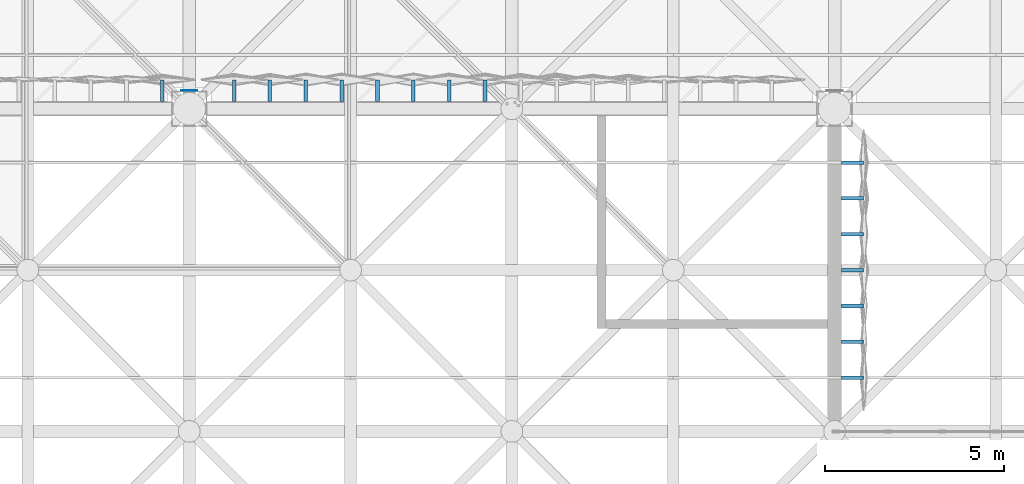
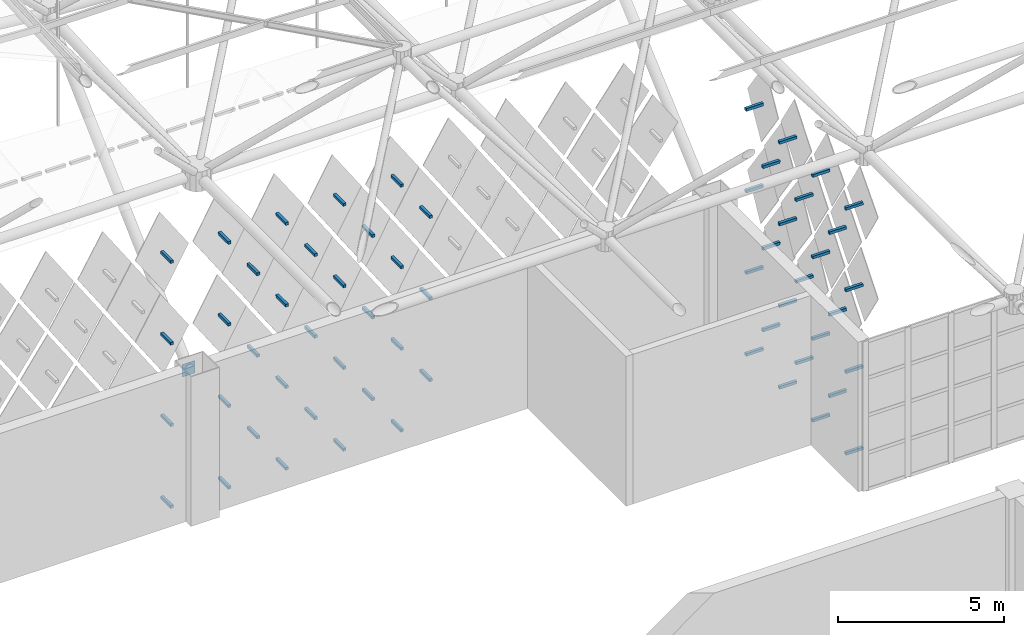
# One storey, part 386 of 437: 58 discrete accessories.
"""IFC4 building model written with IfcOpenShell, lengths in metres."""

from ifc_helpers import new_model, si_unit, direction, frame, origin, place, context, subcontext, project, spatial, polyline, outline, extrude, material, layer, layer_set, type_object, element, save


model = new_model("IFC4")

# Units and contexts
model_context = context("Model", 3, precision=1e-05, world=origin(), true_north=direction((0.0, 1.0)))
body_context = subcontext(model_context, "Body", "Model", "MODEL_VIEW")
ifc_project = project(units=[si_unit("LENGTHUNIT", "METRE"), si_unit("AREAUNIT", "SQUARE_METRE"), si_unit("VOLUMEUNIT", "CUBIC_METRE"), si_unit("PLANEANGLEUNIT", "RADIAN"), si_unit("MASSUNIT", "GRAM", prefix="KILO")], contexts=[model_context])

# Site, building, storey
site_placement = place(None, origin())
site = spatial("IfcSite", under=ifc_project, at=site_placement, CompositionType="ELEMENT")
building_placement = place(site_placement, origin())
building = spatial("IfcBuilding", under=site, at=building_placement, Name="Opaline Strait Convention Centre", CompositionType="ELEMENT")
storey_placement = place(building_placement, frame((0.0, 0.0, 11.5)))
storey = spatial("IfcBuildingStorey", under=building, at=storey_placement, Name="L02", CompositionType="ELEMENT", Elevation=11.5)

# Discrete accessories
ifc_material_1 = material(Name="Structural steel Q355B", Category="steel")
ifc_layer = layer(ifc_material_1, 0.01611328125)
ifc_layer_set = layer_set([ifc_layer], Name="Structural steel Q355B")
discrete_accessory_type_1 = type_object("IfcDiscreteAccessoryType", Name="Prop bearing plate 450 x 450 x 16", PredefinedType="ANCHORPLATE", material=ifc_layer_set)
discrete_accessory_1_placement = place(storey_placement, frame((0.0, 0.0, 4.7900390625)))
element("IfcDiscreteAccessory", 1, at=discrete_accessory_1_placement, inside=storey, type_object=discrete_accessory_type_1, Name="Prop bearing plate 135/153 N", PredefinedType="ANCHORPLATE", context=body_context, shape_type="SweptSolid", body=[
    extrude(outline(polyline([(134.77490234375, 153.5), (135.22509765625, 153.5), (135.22509765625, 153.51611328125), (134.77490234375, 153.51611328125), (134.77490234375, 153.5)])), origin(), (0.0, 0.0, 1.0), 0.449951171875),
])
ifc_material_2 = material(Name="Steel Q355B", Category="steel")
discrete_accessory_type_2 = type_object("IfcDiscreteAccessoryType", Name="Tile bracket 100x100 steel", PredefinedType="BRACKET", material=ifc_material_2)
discrete_accessory_2_placement = place(storey_placement, frame((142.300048828125, 153.199951171875, 0.39208984375), z_axis=(-1.0, 0.0, 0.0), x_axis=(0.0, -1.0, 0.0)))
element("IfcDiscreteAccessory", 2, at=discrete_accessory_2_placement, inside=storey, type_object=discrete_accessory_type_2, Name="Tile bracket XT13 N", PredefinedType="BRACKET", context=body_context, shape_type="SweptSolid", body=[
    extrude(outline(polyline([(0.0, -0.050048828125), (0.0, 0.050048828125), (-0.605712890625, 0.050048828125), (-0.59423828125, -0.050048828125), (0.0, -0.050048828125)])), origin(), (0.0, 0.0, 1.0), 0.10009765625),
])
discrete_accessory_3_placement = place(storey_placement, frame((140.300048828125, 153.199951171875, 0.39208984375), z_axis=(-1.0, 0.0, 0.0), x_axis=(0.0, -1.0, 0.0)))
element("IfcDiscreteAccessory", 3, at=discrete_accessory_3_placement, inside=storey, type_object=discrete_accessory_type_2, Name="Tile bracket XT11 N", PredefinedType="BRACKET", context=body_context, shape_type="SweptSolid", body=[
    extrude(outline(polyline([(0.0, -0.050048828125), (0.0, 0.050048828125), (-0.604736328125, 0.050048828125), (-0.59521484375, -0.050048828125), (0.0, -0.050048828125)])), origin(), (0.0, 0.0, 1.0), 0.10009765625),
])
discrete_accessory_4_placement = place(storey_placement, frame((138.300048828125, 153.199951171875, 0.39208984375), z_axis=(-1.0, 0.0, 0.0), x_axis=(0.0, -1.0, 0.0)))
element("IfcDiscreteAccessory", 4, at=discrete_accessory_4_placement, inside=storey, type_object=discrete_accessory_type_2, Name="Tile bracket XT07 N", PredefinedType="BRACKET", context=body_context, shape_type="SweptSolid", body=[
    extrude(outline(polyline([(0.0, -0.050048828125), (0.0, 0.050048828125), (-0.60302734375, 0.050048828125), (-0.596923828125, -0.050048828125), (0.0, -0.050048828125)])), origin(), (0.0, 0.0, 1.0), 0.10009765625),
])
discrete_accessory_5_placement = place(storey_placement, frame((136.300048828125, 153.199951171875, 0.39208984375), z_axis=(-1.0, 0.0, 0.0), x_axis=(0.0, -1.0, 0.0)))
element("IfcDiscreteAccessory", 5, at=discrete_accessory_5_placement, inside=storey, type_object=discrete_accessory_type_2, Name="Tile bracket XT05 N", PredefinedType="BRACKET", context=body_context, shape_type="SweptSolid", body=[
    extrude(outline(polyline([(0.0, -0.050048828125), (0.0, 0.050048828125), (-0.602294921875, 0.050048828125), (-0.597900390625, -0.050048828125), (0.0, -0.050048828125)])), origin(), (0.0, 0.0, 1.0), 0.10009765625),
])
discrete_accessory_6_placement = place(storey_placement, frame((134.300048828125, 153.199951171875, 0.39208984375), z_axis=(-1.0, 0.0, 0.0), x_axis=(0.0, -1.0, 0.0)))
element("IfcDiscreteAccessory", 6, at=discrete_accessory_6_placement, inside=storey, type_object=discrete_accessory_type_2, Name="Tile bracket XT05 N", PredefinedType="BRACKET", context=body_context, shape_type="SweptSolid", body=[
    extrude(outline(polyline([(0.0, -0.050048828125), (0.0, 0.050048828125), (-0.597900390625, 0.050048828125), (-0.602294921875, -0.050048828125), (0.0, -0.050048828125)])), origin(), (0.0, 0.0, 1.0), 0.10009765625),
])
discrete_accessory_7_placement = place(storey_placement, frame((143.300048828125, 153.199951171875, 1.89208984375), z_axis=(-1.0, 0.0, 0.0), x_axis=(0.0, -1.0, 0.0)))
element("IfcDiscreteAccessory", 7, at=discrete_accessory_7_placement, inside=storey, type_object=discrete_accessory_type_2, Name="Tile bracket XT14 N", PredefinedType="BRACKET", context=body_context, shape_type="SweptSolid", body=[
    extrude(outline(polyline([(0.0, -0.050048828125), (0.0, 0.050048828125), (-0.606201171875, 0.050048828125), (-0.59375, -0.050048828125), (0.0, -0.050048828125)])), origin(), (0.0, 0.0, 1.0), 0.10009765625),
])
discrete_accessory_8_placement = place(storey_placement, frame((141.300048828125, 153.199951171875, 1.89208984375), z_axis=(-1.0, 0.0, 0.0), x_axis=(0.0, -1.0, 0.0)))
element("IfcDiscreteAccessory", 8, at=discrete_accessory_8_placement, inside=storey, type_object=discrete_accessory_type_2, Name="Tile bracket XT13 N", PredefinedType="BRACKET", context=body_context, shape_type="SweptSolid", body=[
    extrude(outline(polyline([(0.0, -0.050048828125), (0.0, 0.050048828125), (-0.605712890625, 0.050048828125), (-0.59423828125, -0.050048828125), (0.0, -0.050048828125)])), origin(), (0.0, 0.0, 1.0), 0.10009765625),
])
discrete_accessory_9_placement = place(storey_placement, frame((139.300048828125, 153.199951171875, 1.89208984375), z_axis=(-1.0, 0.0, 0.0), x_axis=(0.0, -1.0, 0.0)))
element("IfcDiscreteAccessory", 9, at=discrete_accessory_9_placement, inside=storey, type_object=discrete_accessory_type_2, Name="Tile bracket XT11 N", PredefinedType="BRACKET", context=body_context, shape_type="SweptSolid", body=[
    extrude(outline(polyline([(0.0, -0.050048828125), (0.0, 0.050048828125), (-0.604736328125, 0.050048828125), (-0.59521484375, -0.050048828125), (0.0, -0.050048828125)])), origin(), (0.0, 0.0, 1.0), 0.10009765625),
])
discrete_accessory_10_placement = place(storey_placement, frame((137.300048828125, 153.199951171875, 1.89208984375), z_axis=(-1.0, 0.0, 0.0), x_axis=(0.0, -1.0, 0.0)))
element("IfcDiscreteAccessory", 10, at=discrete_accessory_10_placement, inside=storey, type_object=discrete_accessory_type_2, Name="Tile bracket XT07 N", PredefinedType="BRACKET", context=body_context, shape_type="SweptSolid", body=[
    extrude(outline(polyline([(0.0, -0.050048828125), (0.0, 0.050048828125), (-0.60302734375, 0.050048828125), (-0.596923828125, -0.050048828125), (0.0, -0.050048828125)])), origin(), (0.0, 0.0, 1.0), 0.10009765625),
])
discrete_accessory_11_placement = place(storey_placement, frame((142.300048828125, 153.199951171875, 3.39208984375), z_axis=(-1.0, 0.0, 0.0), x_axis=(0.0, -1.0, 0.0)))
element("IfcDiscreteAccessory", 11, at=discrete_accessory_11_placement, inside=storey, type_object=discrete_accessory_type_2, Name="Tile bracket XT14 N", PredefinedType="BRACKET", context=body_context, shape_type="SweptSolid", body=[
    extrude(outline(polyline([(0.0, -0.050048828125), (0.0, 0.050048828125), (-0.606201171875, 0.050048828125), (-0.59375, -0.050048828125), (0.0, -0.050048828125)])), origin(), (0.0, 0.0, 1.0), 0.10009765625),
])
discrete_accessory_12_placement = place(storey_placement, frame((140.300048828125, 153.199951171875, 3.39208984375), z_axis=(-1.0, 0.0, 0.0), x_axis=(0.0, -1.0, 0.0)))
element("IfcDiscreteAccessory", 12, at=discrete_accessory_12_placement, inside=storey, type_object=discrete_accessory_type_2, Name="Tile bracket XT13 N", PredefinedType="BRACKET", context=body_context, shape_type="SweptSolid", body=[
    extrude(outline(polyline([(0.0, -0.050048828125), (0.0, 0.050048828125), (-0.605712890625, 0.050048828125), (-0.59423828125, -0.050048828125), (0.0, -0.050048828125)])), origin(), (0.0, 0.0, 1.0), 0.10009765625),
])
discrete_accessory_13_placement = place(storey_placement, frame((138.300048828125, 153.199951171875, 3.39208984375), z_axis=(-1.0, 0.0, 0.0), x_axis=(0.0, -1.0, 0.0)))
element("IfcDiscreteAccessory", 13, at=discrete_accessory_13_placement, inside=storey, type_object=discrete_accessory_type_2, Name="Tile bracket XT11 N", PredefinedType="BRACKET", context=body_context, shape_type="SweptSolid", body=[
    extrude(outline(polyline([(0.0, -0.050048828125), (0.0, 0.050048828125), (-0.604736328125, 0.050048828125), (-0.59521484375, -0.050048828125), (0.0, -0.050048828125)])), origin(), (0.0, 0.0, 1.0), 0.10009765625),
])
discrete_accessory_14_placement = place(storey_placement, frame((136.300048828125, 153.199951171875, 3.39208984375), z_axis=(-1.0, 0.0, 0.0), x_axis=(0.0, -1.0, 0.0)))
element("IfcDiscreteAccessory", 14, at=discrete_accessory_14_placement, inside=storey, type_object=discrete_accessory_type_2, Name="Tile bracket XT07 N", PredefinedType="BRACKET", context=body_context, shape_type="SweptSolid", body=[
    extrude(outline(polyline([(0.0, -0.050048828125), (0.0, 0.050048828125), (-0.60302734375, 0.050048828125), (-0.596923828125, -0.050048828125), (0.0, -0.050048828125)])), origin(), (0.0, 0.0, 1.0), 0.10009765625),
])
discrete_accessory_15_placement = place(storey_placement, frame((134.300048828125, 153.199951171875, 3.39208984375), z_axis=(-1.0, 0.0, 0.0), x_axis=(0.0, -1.0, 0.0)))
element("IfcDiscreteAccessory", 15, at=discrete_accessory_15_placement, inside=storey, type_object=discrete_accessory_type_2, Name="Tile bracket XT05 N", PredefinedType="BRACKET", context=body_context, shape_type="SweptSolid", body=[
    extrude(outline(polyline([(0.0, -0.050048828125), (0.0, 0.050048828125), (-0.602294921875, 0.050048828125), (-0.597900390625, -0.050048828125), (0.0, -0.050048828125)])), origin(), (0.0, 0.0, 1.0), 0.10009765625),
])
discrete_accessory_16_placement = place(storey_placement, frame((143.300048828125, 153.199951171875, 4.89208984375), z_axis=(-1.0, 0.0, 0.0), x_axis=(0.0, -1.0, 0.0)))
element("IfcDiscreteAccessory", 16, at=discrete_accessory_16_placement, inside=storey, type_object=discrete_accessory_type_2, Name="Tile bracket XT13 N", PredefinedType="BRACKET", context=body_context, shape_type="SweptSolid", body=[
    extrude(outline(polyline([(0.0, -0.050048828125), (0.0, 0.050048828125), (-0.605712890625, 0.050048828125), (-0.59423828125, -0.050048828125), (0.0, -0.050048828125)])), origin(), (0.0, 0.0, 1.0), 0.10009765625),
])
for number, where, z_axis, x_axis, name in (
    (17, (141.300048828125, 153.199951171875, 4.89208984375), (-1.0, 0.0, 0.0), (0.0, -1.0, 0.0), "Tile bracket XT14 N"),
    (18, (139.300048828125, 153.199951171875, 4.89208984375), (-1.0, 0.0, 0.0), (0.0, -1.0, 0.0), "Tile bracket XT14 N"),
):
    element("IfcDiscreteAccessory", number, at=place(storey_placement, frame(where, z_axis=z_axis, x_axis=x_axis)), inside=storey, type_object=discrete_accessory_type_2, Name=name, PredefinedType="BRACKET", context=body_context, shape_type="SweptSolid", body=[
        extrude(outline(polyline([(0.0, -0.050048828125), (0.0, 0.050048828125), (-0.606201171875, 0.050048828125), (-0.59375, -0.050048828125), (0.0, -0.050048828125)])), origin(), (0.0, 0.0, 1.0), 0.10009765625),
    ])
discrete_accessory_17_placement = place(storey_placement, frame((137.300048828125, 153.199951171875, 4.89208984375), z_axis=(-1.0, 0.0, 0.0), x_axis=(0.0, -1.0, 0.0)))
element("IfcDiscreteAccessory", 19, at=discrete_accessory_17_placement, inside=storey, type_object=discrete_accessory_type_2, Name="Tile bracket XT11 N", PredefinedType="BRACKET", context=body_context, shape_type="SweptSolid", body=[
    extrude(outline(polyline([(0.0, -0.050048828125), (0.0, 0.050048828125), (-0.604736328125, 0.050048828125), (-0.59521484375, -0.050048828125), (0.0, -0.050048828125)])), origin(), (0.0, 0.0, 1.0), 0.10009765625),
])
discrete_accessory_18_placement = place(storey_placement, frame((142.300048828125, 153.199951171875, 6.39208984375), z_axis=(-1.0, 0.0, 0.0), x_axis=(0.0, -1.0, 0.0)))
element("IfcDiscreteAccessory", 20, at=discrete_accessory_18_placement, inside=storey, type_object=discrete_accessory_type_2, Name="Tile bracket XT13 N", PredefinedType="BRACKET", context=body_context, shape_type="SweptSolid", body=[
    extrude(outline(polyline([(0.0, -0.050048828125), (0.0, 0.050048828125), (-0.605712890625, 0.050048828125), (-0.59423828125, -0.050048828125), (0.0, -0.050048828125)])), origin(), (0.0, 0.0, 1.0), 0.10009765625),
])
for number, where, z_axis, x_axis, name in (
    (21, (140.300048828125, 153.199951171875, 6.39208984375), (-1.0, 0.0, 0.0), (0.0, -1.0, 0.0), "Tile bracket XT14 N"),
    (22, (138.300048828125, 153.199951171875, 6.39208984375), (-1.0, 0.0, 0.0), (0.0, -1.0, 0.0), "Tile bracket XT14 N"),
):
    element("IfcDiscreteAccessory", number, at=place(storey_placement, frame(where, z_axis=z_axis, x_axis=x_axis)), inside=storey, type_object=discrete_accessory_type_2, Name=name, PredefinedType="BRACKET", context=body_context, shape_type="SweptSolid", body=[
        extrude(outline(polyline([(0.0, -0.050048828125), (0.0, 0.050048828125), (-0.606201171875, 0.050048828125), (-0.59375, -0.050048828125), (0.0, -0.050048828125)])), origin(), (0.0, 0.0, 1.0), 0.10009765625),
    ])
discrete_accessory_19_placement = place(storey_placement, frame((136.300048828125, 153.199951171875, 6.39208984375), z_axis=(-1.0, 0.0, 0.0), x_axis=(0.0, -1.0, 0.0)))
element("IfcDiscreteAccessory", 23, at=discrete_accessory_19_placement, inside=storey, type_object=discrete_accessory_type_2, Name="Tile bracket XT11 N", PredefinedType="BRACKET", context=body_context, shape_type="SweptSolid", body=[
    extrude(outline(polyline([(0.0, -0.050048828125), (0.0, 0.050048828125), (-0.604736328125, 0.050048828125), (-0.59521484375, -0.050048828125), (0.0, -0.050048828125)])), origin(), (0.0, 0.0, 1.0), 0.10009765625),
])
discrete_accessory_20_placement = place(storey_placement, frame((134.300048828125, 153.199951171875, 6.39208984375), z_axis=(-1.0, 0.0, 0.0), x_axis=(0.0, -1.0, 0.0)))
element("IfcDiscreteAccessory", 24, at=discrete_accessory_20_placement, inside=storey, type_object=discrete_accessory_type_2, Name="Tile bracket XT08 N", PredefinedType="BRACKET", context=body_context, shape_type="SweptSolid", body=[
    extrude(outline(polyline([(0.0, -0.050048828125), (0.0, 0.050048828125), (-0.603515625, 0.050048828125), (-0.596435546875, -0.050048828125), (0.0, -0.050048828125)])), origin(), (0.0, 0.0, 1.0), 0.10009765625),
])
discrete_accessory_21_placement = place(storey_placement, frame((143.300048828125, 153.199951171875, 7.89208984375), z_axis=(-1.0, 0.0, 0.0), x_axis=(0.0, -1.0, 0.0)))
element("IfcDiscreteAccessory", 25, at=discrete_accessory_21_placement, inside=storey, type_object=discrete_accessory_type_2, Name="Tile bracket XT09 N", PredefinedType="BRACKET", context=body_context, shape_type="SweptSolid", body=[
    extrude(outline(polyline([(0.0, -0.050048828125), (0.0, 0.050048828125), (-0.60400390625, 0.050048828125), (-0.595947265625, -0.050048828125), (0.0, -0.050048828125)])), origin(), (0.0, 0.0, 1.0), 0.10009765625),
])
discrete_accessory_22_placement = place(storey_placement, frame((141.300048828125, 153.199951171875, 7.89208984375), z_axis=(-1.0, 0.0, 0.0), x_axis=(0.0, -1.0, 0.0)))
element("IfcDiscreteAccessory", 26, at=discrete_accessory_22_placement, inside=storey, type_object=discrete_accessory_type_2, Name="Tile bracket XT12 N", PredefinedType="BRACKET", context=body_context, shape_type="SweptSolid", body=[
    extrude(outline(polyline([(0.0, -0.050048828125), (0.0, 0.050048828125), (-0.605224609375, 0.050048828125), (-0.5947265625, -0.050048828125), (0.0, -0.050048828125)])), origin(), (0.0, 0.0, 1.0), 0.10009765625),
])
discrete_accessory_23_placement = place(storey_placement, frame((139.300048828125, 153.199951171875, 7.89208984375), z_axis=(-1.0, 0.0, 0.0), x_axis=(0.0, -1.0, 0.0)))
element("IfcDiscreteAccessory", 27, at=discrete_accessory_23_placement, inside=storey, type_object=discrete_accessory_type_2, Name="Tile bracket XT14 N", PredefinedType="BRACKET", context=body_context, shape_type="SweptSolid", body=[
    extrude(outline(polyline([(0.0, -0.050048828125), (0.0, 0.050048828125), (-0.606201171875, 0.050048828125), (-0.59375, -0.050048828125), (0.0, -0.050048828125)])), origin(), (0.0, 0.0, 1.0), 0.10009765625),
])
discrete_accessory_24_placement = place(storey_placement, frame((137.300048828125, 153.199951171875, 7.89208984375), z_axis=(-1.0, 0.0, 0.0), x_axis=(0.0, -1.0, 0.0)))
element("IfcDiscreteAccessory", 28, at=discrete_accessory_24_placement, inside=storey, type_object=discrete_accessory_type_2, Name="Tile bracket XT13 N", PredefinedType="BRACKET", context=body_context, shape_type="SweptSolid", body=[
    extrude(outline(polyline([(0.0, -0.050048828125), (0.0, 0.050048828125), (-0.605712890625, 0.050048828125), (-0.59423828125, -0.050048828125), (0.0, -0.050048828125)])), origin(), (0.0, 0.0, 1.0), 0.10009765625),
])
discrete_accessory_25_placement = place(storey_placement, frame((142.300048828125, 153.199951171875, 9.39208984375), z_axis=(-1.0, 0.0, 0.0), x_axis=(0.0, -1.0, 0.0)))
element("IfcDiscreteAccessory", 29, at=discrete_accessory_25_placement, inside=storey, type_object=discrete_accessory_type_2, Name="Tile bracket XT09 N", PredefinedType="BRACKET", context=body_context, shape_type="SweptSolid", body=[
    extrude(outline(polyline([(0.0, -0.050048828125), (0.0, 0.050048828125), (-0.60400390625, 0.050048828125), (-0.595947265625, -0.050048828125), (0.0, -0.050048828125)])), origin(), (0.0, 0.0, 1.0), 0.10009765625),
])
discrete_accessory_26_placement = place(storey_placement, frame((140.300048828125, 153.199951171875, 9.39208984375), z_axis=(-1.0, 0.0, 0.0), x_axis=(0.0, -1.0, 0.0)))
element("IfcDiscreteAccessory", 30, at=discrete_accessory_26_placement, inside=storey, type_object=discrete_accessory_type_2, Name="Tile bracket XT12 N", PredefinedType="BRACKET", context=body_context, shape_type="SweptSolid", body=[
    extrude(outline(polyline([(0.0, -0.050048828125), (0.0, 0.050048828125), (-0.605224609375, 0.050048828125), (-0.5947265625, -0.050048828125), (0.0, -0.050048828125)])), origin(), (0.0, 0.0, 1.0), 0.10009765625),
])
discrete_accessory_27_placement = place(storey_placement, frame((138.300048828125, 153.199951171875, 9.39208984375), z_axis=(-1.0, 0.0, 0.0), x_axis=(0.0, -1.0, 0.0)))
element("IfcDiscreteAccessory", 31, at=discrete_accessory_27_placement, inside=storey, type_object=discrete_accessory_type_2, Name="Tile bracket XT14 N", PredefinedType="BRACKET", context=body_context, shape_type="SweptSolid", body=[
    extrude(outline(polyline([(0.0, -0.050048828125), (0.0, 0.050048828125), (-0.606201171875, 0.050048828125), (-0.59375, -0.050048828125), (0.0, -0.050048828125)])), origin(), (0.0, 0.0, 1.0), 0.10009765625),
])
discrete_accessory_28_placement = place(storey_placement, frame((136.300048828125, 153.199951171875, 9.39208984375), z_axis=(-1.0, 0.0, 0.0), x_axis=(0.0, -1.0, 0.0)))
element("IfcDiscreteAccessory", 32, at=discrete_accessory_28_placement, inside=storey, type_object=discrete_accessory_type_2, Name="Tile bracket XT13 N", PredefinedType="BRACKET", context=body_context, shape_type="SweptSolid", body=[
    extrude(outline(polyline([(0.0, -0.050048828125), (0.0, 0.050048828125), (-0.605712890625, 0.050048828125), (-0.59423828125, -0.050048828125), (0.0, -0.050048828125)])), origin(), (0.0, 0.0, 1.0), 0.10009765625),
])
discrete_accessory_29_placement = place(storey_placement, frame((134.300048828125, 153.199951171875, 9.39208984375), z_axis=(-1.0, 0.0, 0.0), x_axis=(0.0, -1.0, 0.0)))
element("IfcDiscreteAccessory", 33, at=discrete_accessory_29_placement, inside=storey, type_object=discrete_accessory_type_2, Name="Tile bracket XT11 N", PredefinedType="BRACKET", context=body_context, shape_type="SweptSolid", body=[
    extrude(outline(polyline([(0.0, -0.050048828125), (0.0, 0.050048828125), (-0.604736328125, 0.050048828125), (-0.59521484375, -0.050048828125), (0.0, -0.050048828125)])), origin(), (0.0, 0.0, 1.0), 0.10009765625),
])
discrete_accessory_30_placement = place(storey_placement, frame((153.199951171875, 145.449951171875, 0.39208984375), z_axis=(0.0, 1.0, 0.0), x_axis=(-1.0, 0.0, 0.0)))
element("IfcDiscreteAccessory", 34, at=discrete_accessory_30_placement, inside=storey, type_object=discrete_accessory_type_2, Name="Tile bracket XT04 RW", PredefinedType="BRACKET", context=body_context, shape_type="SweptSolid", body=[
    extrude(outline(polyline([(0.0, -0.050048828125), (0.0, 0.050048828125), (-0.601806640625, 0.050048828125), (-0.59814453125, -0.050048828125), (0.0, -0.050048828125)])), origin(), (0.0, 0.0, 1.0), 0.10009765625),
])
discrete_accessory_31_placement = place(storey_placement, frame((153.199951171875, 147.449951171875, 0.39208984375), z_axis=(0.0, 1.0, 0.0), x_axis=(-1.0, 0.0, 0.0)))
element("IfcDiscreteAccessory", 35, at=discrete_accessory_31_placement, inside=storey, type_object=discrete_accessory_type_2, Name="Tile bracket XT09 RW", PredefinedType="BRACKET", context=body_context, shape_type="SweptSolid", body=[
    extrude(outline(polyline([(0.0, -0.050048828125), (0.0, 0.050048828125), (-0.60400390625, 0.050048828125), (-0.595947265625, -0.050048828125), (0.0, -0.050048828125)])), origin(), (0.0, 0.0, 1.0), 0.10009765625),
])
discrete_accessory_32_placement = place(storey_placement, frame((153.199951171875, 149.449951171875, 0.39208984375), z_axis=(0.0, 1.0, 0.0), x_axis=(-1.0, 0.0, 0.0)))
element("IfcDiscreteAccessory", 36, at=discrete_accessory_32_placement, inside=storey, type_object=discrete_accessory_type_2, Name="Tile bracket XT13 RW", PredefinedType="BRACKET", context=body_context, shape_type="SweptSolid", body=[
    extrude(outline(polyline([(0.0, -0.050048828125), (0.0, 0.050048828125), (-0.605712890625, 0.050048828125), (-0.59423828125, -0.050048828125), (0.0, -0.050048828125)])), origin(), (0.0, 0.0, 1.0), 0.10009765625),
])
discrete_accessory_33_placement = place(storey_placement, frame((153.199951171875, 151.449951171875, 0.39208984375), z_axis=(0.0, 1.0, 0.0), x_axis=(-1.0, 0.0, 0.0)))
element("IfcDiscreteAccessory", 37, at=discrete_accessory_33_placement, inside=storey, type_object=discrete_accessory_type_2, Name="Tile bracket XT12 RW", PredefinedType="BRACKET", context=body_context, shape_type="SweptSolid", body=[
    extrude(outline(polyline([(0.0, -0.050048828125), (0.0, 0.050048828125), (-0.605224609375, 0.050048828125), (-0.5947265625, -0.050048828125), (0.0, -0.050048828125)])), origin(), (0.0, 0.0, 1.0), 0.10009765625),
])
discrete_accessory_34_placement = place(storey_placement, frame((153.199951171875, 146.449951171875, 1.89208984375), z_axis=(0.0, 1.0, 0.0), x_axis=(-1.0, 0.0, 0.0)))
element("IfcDiscreteAccessory", 38, at=discrete_accessory_34_placement, inside=storey, type_object=discrete_accessory_type_2, Name="Tile bracket XT05 RW", PredefinedType="BRACKET", context=body_context, shape_type="SweptSolid", body=[
    extrude(outline(polyline([(0.0, -0.050048828125), (0.0, 0.050048828125), (-0.602294921875, 0.050048828125), (-0.597900390625, -0.050048828125), (0.0, -0.050048828125)])), origin(), (0.0, 0.0, 1.0), 0.10009765625),
])
discrete_accessory_35_placement = place(storey_placement, frame((153.199951171875, 148.449951171875, 1.89208984375), z_axis=(0.0, 1.0, 0.0), x_axis=(-1.0, 0.0, 0.0)))
element("IfcDiscreteAccessory", 39, at=discrete_accessory_35_placement, inside=storey, type_object=discrete_accessory_type_2, Name="Tile bracket XT10 RW", PredefinedType="BRACKET", context=body_context, shape_type="SweptSolid", body=[
    extrude(outline(polyline([(0.0, -0.050048828125), (0.0, 0.050048828125), (-0.604248046875, 0.050048828125), (-0.595703125, -0.050048828125), (0.0, -0.050048828125)])), origin(), (0.0, 0.0, 1.0), 0.10009765625),
])
discrete_accessory_36_placement = place(storey_placement, frame((153.199951171875, 150.449951171875, 1.89208984375), z_axis=(0.0, 1.0, 0.0), x_axis=(-1.0, 0.0, 0.0)))
element("IfcDiscreteAccessory", 40, at=discrete_accessory_36_placement, inside=storey, type_object=discrete_accessory_type_2, Name="Tile bracket XT11 RW", PredefinedType="BRACKET", context=body_context, shape_type="SweptSolid", body=[
    extrude(outline(polyline([(0.0, -0.050048828125), (0.0, 0.050048828125), (-0.604736328125, 0.050048828125), (-0.59521484375, -0.050048828125), (0.0, -0.050048828125)])), origin(), (0.0, 0.0, 1.0), 0.10009765625),
])
discrete_accessory_37_placement = place(storey_placement, frame((153.199951171875, 145.449951171875, 3.39208984375), z_axis=(0.0, 1.0, 0.0), x_axis=(-1.0, 0.0, 0.0)))
element("IfcDiscreteAccessory", 41, at=discrete_accessory_37_placement, inside=storey, type_object=discrete_accessory_type_2, Name="Tile bracket XT04 RW", PredefinedType="BRACKET", context=body_context, shape_type="SweptSolid", body=[
    extrude(outline(polyline([(0.0, -0.050048828125), (0.0, 0.050048828125), (-0.59814453125, 0.050048828125), (-0.601806640625, -0.050048828125), (0.0, -0.050048828125)])), origin(), (0.0, 0.0, 1.0), 0.10009765625),
])
discrete_accessory_38_placement = place(storey_placement, frame((153.199951171875, 147.449951171875, 3.39208984375), z_axis=(0.0, 1.0, 0.0), x_axis=(-1.0, 0.0, 0.0)))
element("IfcDiscreteAccessory", 42, at=discrete_accessory_38_placement, inside=storey, type_object=discrete_accessory_type_2, Name="Tile bracket XT06 RW", PredefinedType="BRACKET", context=body_context, shape_type="SweptSolid", body=[
    extrude(outline(polyline([(0.0, -0.050048828125), (0.0, 0.050048828125), (-0.6025390625, 0.050048828125), (-0.597412109375, -0.050048828125), (0.0, -0.050048828125)])), origin(), (0.0, 0.0, 1.0), 0.10009765625),
])
discrete_accessory_39_placement = place(storey_placement, frame((153.199951171875, 149.449951171875, 3.39208984375), z_axis=(0.0, 1.0, 0.0), x_axis=(-1.0, 0.0, 0.0)))
element("IfcDiscreteAccessory", 43, at=discrete_accessory_39_placement, inside=storey, type_object=discrete_accessory_type_2, Name="Tile bracket XT09 RW", PredefinedType="BRACKET", context=body_context, shape_type="SweptSolid", body=[
    extrude(outline(polyline([(0.0, -0.050048828125), (0.0, 0.050048828125), (-0.60400390625, 0.050048828125), (-0.595947265625, -0.050048828125), (0.0, -0.050048828125)])), origin(), (0.0, 0.0, 1.0), 0.10009765625),
])
discrete_accessory_40_placement = place(storey_placement, frame((153.199951171875, 151.449951171875, 3.39208984375), z_axis=(0.0, 1.0, 0.0), x_axis=(-1.0, 0.0, 0.0)))
element("IfcDiscreteAccessory", 44, at=discrete_accessory_40_placement, inside=storey, type_object=discrete_accessory_type_2, Name="Tile bracket XT10 RW", PredefinedType="BRACKET", context=body_context, shape_type="SweptSolid", body=[
    extrude(outline(polyline([(0.0, -0.050048828125), (0.0, 0.050048828125), (-0.604248046875, 0.050048828125), (-0.595703125, -0.050048828125), (0.0, -0.050048828125)])), origin(), (0.0, 0.0, 1.0), 0.10009765625),
])
discrete_accessory_41_placement = place(storey_placement, frame((153.199951171875, 146.449951171875, 4.89208984375), z_axis=(0.0, 1.0, 0.0), x_axis=(-1.0, 0.0, 0.0)))
element("IfcDiscreteAccessory", 45, at=discrete_accessory_41_placement, inside=storey, type_object=discrete_accessory_type_2, Name="Tile bracket XT05 RW", PredefinedType="BRACKET", context=body_context, shape_type="SweptSolid", body=[
    extrude(outline(polyline([(0.0, -0.050048828125), (0.0, 0.050048828125), (-0.597900390625, 0.050048828125), (-0.602294921875, -0.050048828125), (0.0, -0.050048828125)])), origin(), (0.0, 0.0, 1.0), 0.10009765625),
])
discrete_accessory_42_placement = place(storey_placement, frame((153.199951171875, 148.449951171875, 4.89208984375), z_axis=(0.0, 1.0, 0.0), x_axis=(-1.0, 0.0, 0.0)))
element("IfcDiscreteAccessory", 46, at=discrete_accessory_42_placement, inside=storey, type_object=discrete_accessory_type_2, Name="Tile bracket XT06 RW", PredefinedType="BRACKET", context=body_context, shape_type="SweptSolid", body=[
    extrude(outline(polyline([(0.0, -0.050048828125), (0.0, 0.050048828125), (-0.6025390625, 0.050048828125), (-0.597412109375, -0.050048828125), (0.0, -0.050048828125)])), origin(), (0.0, 0.0, 1.0), 0.10009765625),
])
discrete_accessory_43_placement = place(storey_placement, frame((153.199951171875, 150.449951171875, 4.89208984375), z_axis=(0.0, 1.0, 0.0), x_axis=(-1.0, 0.0, 0.0)))
element("IfcDiscreteAccessory", 47, at=discrete_accessory_43_placement, inside=storey, type_object=discrete_accessory_type_2, Name="Tile bracket XT07 RW", PredefinedType="BRACKET", context=body_context, shape_type="SweptSolid", body=[
    extrude(outline(polyline([(0.0, -0.050048828125), (0.0, 0.050048828125), (-0.60302734375, 0.050048828125), (-0.596923828125, -0.050048828125), (0.0, -0.050048828125)])), origin(), (0.0, 0.0, 1.0), 0.10009765625),
])
for number, where, z_axis, x_axis, name in (
    (48, (153.199951171875, 145.449951171875, 6.39208984375), (0.0, 1.0, 0.0), (-1.0, 0.0, 0.0), "Tile bracket XT06 RW"),
    (49, (153.199951171875, 147.449951171875, 6.39208984375), (0.0, 1.0, 0.0), (-1.0, 0.0, 0.0), "Tile bracket XT06 RW"),
):
    element("IfcDiscreteAccessory", number, at=place(storey_placement, frame(where, z_axis=z_axis, x_axis=x_axis)), inside=storey, type_object=discrete_accessory_type_2, Name=name, PredefinedType="BRACKET", context=body_context, shape_type="SweptSolid", body=[
        extrude(outline(polyline([(0.0, -0.050048828125), (0.0, 0.050048828125), (-0.597412109375, 0.050048828125), (-0.6025390625, -0.050048828125), (0.0, -0.050048828125)])), origin(), (0.0, 0.0, 1.0), 0.10009765625),
    ])
for number, where, z_axis, x_axis, name in (
    (50, (153.199951171875, 149.449951171875, 6.39208984375), (0.0, 1.0, 0.0), (-1.0, 0.0, 0.0), "Tile bracket XT06 RW"),
    (51, (153.199951171875, 151.449951171875, 6.39208984375), (0.0, 1.0, 0.0), (-1.0, 0.0, 0.0), "Tile bracket XT06 RW"),
):
    element("IfcDiscreteAccessory", number, at=place(storey_placement, frame(where, z_axis=z_axis, x_axis=x_axis)), inside=storey, type_object=discrete_accessory_type_2, Name=name, PredefinedType="BRACKET", context=body_context, shape_type="SweptSolid", body=[
        extrude(outline(polyline([(0.0, -0.050048828125), (0.0, 0.050048828125), (-0.6025390625, 0.050048828125), (-0.597412109375, -0.050048828125), (0.0, -0.050048828125)])), origin(), (0.0, 0.0, 1.0), 0.10009765625),
    ])
discrete_accessory_44_placement = place(storey_placement, frame((153.199951171875, 146.449951171875, 7.89208984375), z_axis=(0.0, 1.0, 0.0), x_axis=(-1.0, 0.0, 0.0)))
element("IfcDiscreteAccessory", 52, at=discrete_accessory_44_placement, inside=storey, type_object=discrete_accessory_type_2, Name="Tile bracket XT07 RW", PredefinedType="BRACKET", context=body_context, shape_type="SweptSolid", body=[
    extrude(outline(polyline([(0.0, -0.050048828125), (0.0, 0.050048828125), (-0.596923828125, 0.050048828125), (-0.60302734375, -0.050048828125), (0.0, -0.050048828125)])), origin(), (0.0, 0.0, 1.0), 0.10009765625),
])
discrete_accessory_45_placement = place(storey_placement, frame((153.199951171875, 148.449951171875, 7.89208984375), z_axis=(0.0, 1.0, 0.0), x_axis=(-1.0, 0.0, 0.0)))
element("IfcDiscreteAccessory", 53, at=discrete_accessory_45_placement, inside=storey, type_object=discrete_accessory_type_2, Name="Tile bracket XT06 RW", PredefinedType="BRACKET", context=body_context, shape_type="SweptSolid", body=[
    extrude(outline(polyline([(0.0, -0.050048828125), (0.0, 0.050048828125), (-0.597412109375, 0.050048828125), (-0.6025390625, -0.050048828125), (0.0, -0.050048828125)])), origin(), (0.0, 0.0, 1.0), 0.10009765625),
])
discrete_accessory_46_placement = place(storey_placement, frame((153.199951171875, 150.449951171875, 7.89208984375), z_axis=(0.0, 1.0, 0.0), x_axis=(-1.0, 0.0, 0.0)))
element("IfcDiscreteAccessory", 54, at=discrete_accessory_46_placement, inside=storey, type_object=discrete_accessory_type_2, Name="Tile bracket XT05 RW", PredefinedType="BRACKET", context=body_context, shape_type="SweptSolid", body=[
    extrude(outline(polyline([(0.0, -0.050048828125), (0.0, 0.050048828125), (-0.602294921875, 0.050048828125), (-0.597900390625, -0.050048828125), (0.0, -0.050048828125)])), origin(), (0.0, 0.0, 1.0), 0.10009765625),
])
discrete_accessory_47_placement = place(storey_placement, frame((153.199951171875, 145.449951171875, 9.39208984375), z_axis=(0.0, 1.0, 0.0), x_axis=(-1.0, 0.0, 0.0)))
element("IfcDiscreteAccessory", 55, at=discrete_accessory_47_placement, inside=storey, type_object=discrete_accessory_type_2, Name="Tile bracket XT09 RW", PredefinedType="BRACKET", context=body_context, shape_type="SweptSolid", body=[
    extrude(outline(polyline([(0.0, -0.050048828125), (0.0, 0.050048828125), (-0.595947265625, 0.050048828125), (-0.60400390625, -0.050048828125), (0.0, -0.050048828125)])), origin(), (0.0, 0.0, 1.0), 0.10009765625),
])
discrete_accessory_48_placement = place(storey_placement, frame((153.199951171875, 147.449951171875, 9.39208984375), z_axis=(0.0, 1.0, 0.0), x_axis=(-1.0, 0.0, 0.0)))
element("IfcDiscreteAccessory", 56, at=discrete_accessory_48_placement, inside=storey, type_object=discrete_accessory_type_2, Name="Tile bracket XT08 RW", PredefinedType="BRACKET", context=body_context, shape_type="SweptSolid", body=[
    extrude(outline(polyline([(0.0, -0.050048828125), (0.0, 0.050048828125), (-0.596435546875, 0.050048828125), (-0.603515625, -0.050048828125), (0.0, -0.050048828125)])), origin(), (0.0, 0.0, 1.0), 0.10009765625),
])
discrete_accessory_49_placement = place(storey_placement, frame((153.199951171875, 149.449951171875, 9.39208984375), z_axis=(0.0, 1.0, 0.0), x_axis=(-1.0, 0.0, 0.0)))
element("IfcDiscreteAccessory", 57, at=discrete_accessory_49_placement, inside=storey, type_object=discrete_accessory_type_2, Name="Tile bracket XT06 RW", PredefinedType="BRACKET", context=body_context, shape_type="SweptSolid", body=[
    extrude(outline(polyline([(0.0, -0.050048828125), (0.0, 0.050048828125), (-0.597412109375, 0.050048828125), (-0.6025390625, -0.050048828125), (0.0, -0.050048828125)])), origin(), (0.0, 0.0, 1.0), 0.10009765625),
])
discrete_accessory_50_placement = place(storey_placement, frame((153.199951171875, 151.449951171875, 9.39208984375), z_axis=(0.0, 1.0, 0.0), x_axis=(-1.0, 0.0, 0.0)))
element("IfcDiscreteAccessory", 58, at=discrete_accessory_50_placement, inside=storey, type_object=discrete_accessory_type_2, Name="Tile bracket XT04 RW", PredefinedType="BRACKET", context=body_context, shape_type="SweptSolid", body=[
    extrude(outline(polyline([(0.0, -0.050048828125), (0.0, 0.050048828125), (-0.601806640625, 0.050048828125), (-0.59814453125, -0.050048828125), (0.0, -0.050048828125)])), origin(), (0.0, 0.0, 1.0), 0.10009765625),
])

save(model, "model.ifc")
